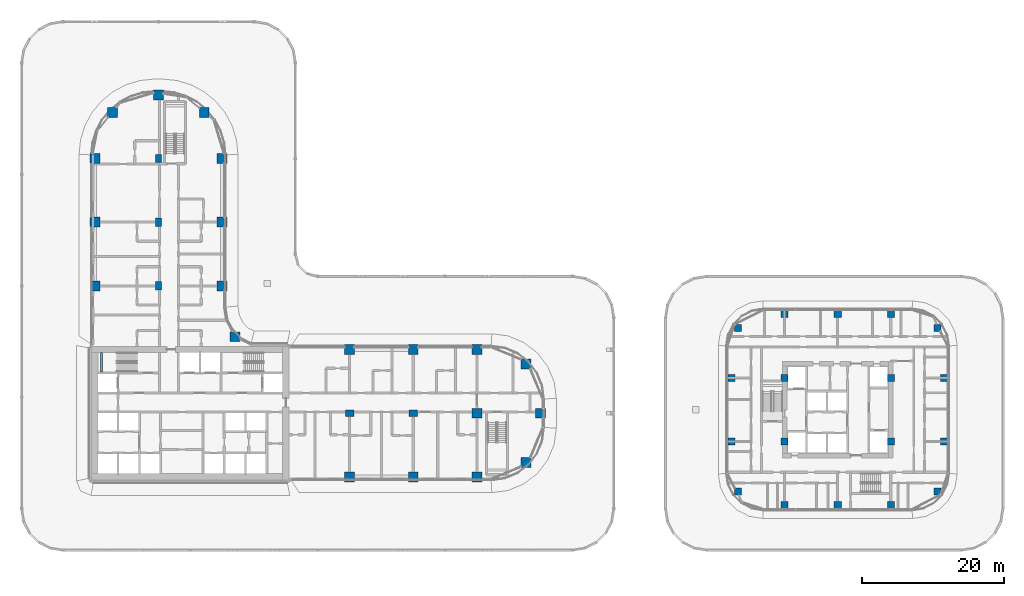
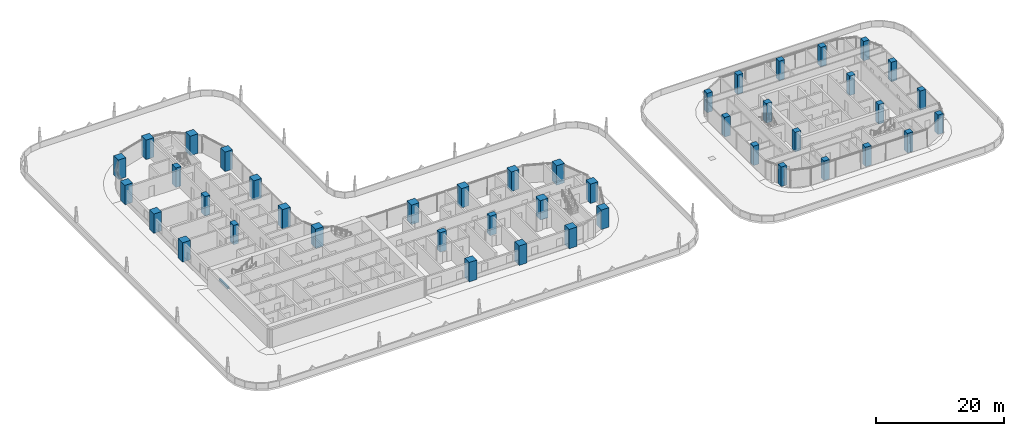
# One storey, part 1 of 51: 43 columns, 1 beam.
"""IFC4 building model written with IfcOpenShell, lengths in metres."""

from ifc_helpers import new_model, si_unit, direction, frame, origin, origin_2d, place, context, subcontext, project, spatial, rectangle, extrude, material, material_profile, profile_set, type_object, element, save


model = new_model("IFC4")

# Units and contexts
model_context = context("Model", 3, precision=1e-05, world=origin(), true_north=direction((0.0, 1.0)))
body_context = subcontext(model_context, "Body", "Model", "MODEL_VIEW")
ifc_project = project(units=[si_unit("LENGTHUNIT", "METRE"), si_unit("AREAUNIT", "SQUARE_METRE"), si_unit("VOLUMEUNIT", "CUBIC_METRE"), si_unit("PLANEANGLEUNIT", "RADIAN"), si_unit("MASSUNIT", "GRAM", prefix="KILO")], contexts=[model_context])

# Site, building, storey
site_placement = place(None, origin())
site = spatial("IfcSite", under=ifc_project, at=site_placement, CompositionType="ELEMENT")
building_placement = place(site_placement, origin())
building = spatial("IfcBuilding", under=site, at=building_placement, Name="Ogive Portal Towers", CompositionType="ELEMENT")
storey_placement = place(building_placement, frame((0.0, 0.0, 33.5)))
storey = spatial("IfcBuildingStorey", under=building, at=storey_placement, Name="L06", CompositionType="ELEMENT", Elevation=33.5)

# Columns
ifc_material_1 = material(Name="Concrete C60/75", Category="concrete")
ifc_material_profile_1 = material_profile(ifc_material_1, rectangle(XDim=1.0, YDim=1.0, at=origin_2d()), Name="RC 1000x1000")
ifc_profile_set_1 = profile_set([ifc_material_profile_1], Name="Concrete C60/75")
column_type_1 = type_object("IfcColumnType", Name="COLUMN RC 1000x1000", PredefinedType="COLUMN", material=ifc_profile_set_1)
for number, where, z_axis, x_axis, name in (
    (1, (129.0, 17.5, 0.0), (0.0, 0.0, 1.0), (1.0, 0.0, 0.0), "Column 12/H L06"),
    (2, (136.5, 17.5, 0.0), (0.0, 0.0, 1.0), (1.0, 0.0, 0.0), "Column 13/H L06"),
    (3, (144.0, 17.5, 0.0), (0.0, 0.0, 1.0), (1.0, 0.0, 0.0), "Column 14/H L06"),
    (4, (122.40087890625, 19.44189453125, 0.0), (0.0, 0.0, 1.0), (1.0, 0.0, 0.0), "Column L06"),
    (5, (150.59912109375, 19.44189453125, 0.0), (0.0, 0.0, 1.0), (1.0, 0.0, 0.0), "Column L06"),
    (6, (121.5, 26.5, 0.0), (0.0, 0.0, 1.0), (1.0, 0.0, 0.0), "Column 11/J L06"),
    (7, (129.0, 26.5, 0.0), (0.0, 0.0, 1.0), (1.0, 0.0, 0.0), "Column 12/J L06"),
    (8, (144.0, 26.5, 0.0), (0.0, 0.0, 1.0), (1.0, 0.0, 0.0), "Column 14/J L06"),
    (9, (151.5, 26.5, 0.0), (0.0, 0.0, 1.0), (1.0, 0.0, 0.0), "Column 15/J L06"),
    (10, (121.5, 35.5, 0.0), (0.0, 0.0, 1.0), (1.0, 0.0, 0.0), "Column 11/K L06"),
    (11, (129.0, 35.5, 0.0), (0.0, 0.0, 1.0), (1.0, 0.0, 0.0), "Column 12/K L06"),
    (12, (144.0, 35.5, 0.0), (0.0, 0.0, 1.0), (1.0, 0.0, 0.0), "Column 14/K L06"),
    (13, (151.5, 35.5, 0.0), (0.0, 0.0, 1.0), (1.0, 0.0, 0.0), "Column 15/K L06"),
    (14, (122.40087890625, 42.55810546875, 0.0), (0.0, 0.0, 1.0), (1.0, 0.0, 0.0), "Column L06"),
    (15, (150.59912109375, 42.55810546875, 0.0), (0.0, 0.0, 1.0), (1.0, 0.0, 0.0), "Column L06"),
    (16, (129.0, 44.5, 0.0), (0.0, 0.0, 1.0), (1.0, 0.0, 0.0), "Column 12/L L06"),
    (17, (136.5, 44.5, 0.0), (0.0, 0.0, 1.0), (1.0, 0.0, 0.0), "Column 13/L L06"),
    (18, (144.0, 44.5, 0.0), (0.0, 0.0, 1.0), (1.0, 0.0, 0.0), "Column 14/L L06"),
):
    element("IfcColumn", number, at=place(storey_placement, frame(where, z_axis=z_axis, x_axis=x_axis)), inside=storey, type_object=column_type_1, Name=name, PredefinedType="COLUMN", context=body_context, shape_type="SweptSolid", body=[
        extrude(rectangle(XDim=1.0, YDim=1.0, at=origin_2d()), origin(), (0.0, 0.0, 1.0), 3.699951171875),
    ])
ifc_material_profile_2 = material_profile(ifc_material_1, rectangle(XDim=1.199951171875, YDim=0.89990234375, at=origin_2d()), Name="RC 1200x900")
ifc_profile_set_2 = profile_set([ifc_material_profile_2], Name="Concrete C60/75")
column_type_2 = type_object("IfcColumnType", Name="COLUMN RC 1200x900", PredefinedType="COLUMN", material=ifc_profile_set_2)
for number, where, z_axis, x_axis, name in (
    (19, (67.5, 30.5, 0.0), (0.0, 0.0, 1.0), (1.0, 0.0, 0.0), "Column 5/B L06"),
    (20, (76.5, 30.5, 0.0), (0.0, 0.0, 1.0), (1.0, 0.0, 0.0), "Column 6/B L06"),
    (21, (40.5, 48.5, 0.0), (0.0, 0.0, 1.0), (0.0, 1.0, 0.0), "Column 2/D L06"),
    (22, (40.5, 57.5, 0.0), (0.0, 0.0, 1.0), (0.0, 1.0, 0.0), "Column 2/E L06"),
    (23, (40.5, 66.5, 0.0), (0.0, 0.0, 1.0), (0.0, 1.0, 0.0), "Column 2/F L06"),
):
    element("IfcColumn", number, at=place(storey_placement, frame(where, z_axis=z_axis, x_axis=x_axis)), inside=storey, type_object=column_type_2, Name=name, PredefinedType="COLUMN", context=body_context, shape_type="SweptSolid", body=[
        extrude(rectangle(XDim=1.199951171875, YDim=0.89990234375, at=origin_2d()), origin(), (0.0, 0.0, 1.0), 3.699951171875),
    ])
ifc_material_profile_3 = material_profile(ifc_material_1, rectangle(XDim=1.39990234375, YDim=1.39990234375, at=origin_2d()), Name="RC 1400x1400")
ifc_profile_set_3 = profile_set([ifc_material_profile_3], Name="Concrete C60/75")
column_type_3 = type_object("IfcColumnType", Name="COLUMN RC 1400x1400", PredefinedType="COLUMN", material=ifc_profile_set_3)
for number, where, z_axis, x_axis, name in (
    (24, (67.5, 21.5, 0.0), (0.0, 0.0, 1.0), (1.0, 0.0, 0.0), "Column 5/A L06"),
    (25, (76.5, 21.5, 0.0), (0.0, 0.0, 1.0), (1.0, 0.0, 0.0), "Column 6/A L06"),
    (26, (85.5, 21.5, 0.0), (0.0, 0.0, 1.0), (1.0, 0.0, 0.0), "Column 7/A L06"),
    (27, (92.449951171875, 23.550048828125, 0.0), (0.0, 0.0, 1.0), (1.0, 0.0, 0.0), "Column L06"),
    (28, (85.5, 30.5, 0.0), (0.0, 0.0, 1.0), (1.0, 0.0, 0.0), "Column 7/B L06"),
    (29, (94.5, 30.5, 0.0), (0.0, 0.0, 1.0), (1.0, 0.0, 0.0), "Column 8/B L06"),
    (30, (92.449951171875, 37.449951171875, 0.0), (0.0, 0.0, 1.0), (1.0, 0.0, 0.0), "Column L06"),
    (31, (67.5, 39.5, 0.0), (0.0, 0.0, 1.0), (1.0, 0.0, 0.0), "Column 5/C L06"),
    (32, (76.5, 39.5, 0.0), (0.0, 0.0, 1.0), (1.0, 0.0, 0.0), "Column 6/C L06"),
    (33, (85.5, 39.5, 0.0), (0.0, 0.0, 1.0), (1.0, 0.0, 0.0), "Column 7/C L06"),
    (34, (51.31005859375, 41.31005859375, 0.0), (0.0, 0.0, 1.0), (1.0, 0.0, 0.0), "Column L06"),
    (35, (31.5, 48.5, 0.0), (0.0, 0.0, 1.0), (1.0, 0.0, 0.0), "Column 1/D L06"),
    (36, (49.5, 48.5, 0.0), (0.0, 0.0, 1.0), (1.0, 0.0, 0.0), "Column 3/D L06"),
    (37, (31.5, 57.5, 0.0), (0.0, 0.0, 1.0), (1.0, 0.0, 0.0), "Column 1/E L06"),
    (38, (49.5, 57.5, 0.0), (0.0, 0.0, 1.0), (1.0, 0.0, 0.0), "Column 3/E L06"),
    (39, (31.5, 66.5, 0.0), (0.0, 0.0, 1.0), (1.0, 0.0, 0.0), "Column 1/F L06"),
    (40, (49.5, 66.5, 0.0), (0.0, 0.0, 1.0), (1.0, 0.0, 0.0), "Column 3/F L06"),
    (41, (34.027099609375, 72.972900390625, 0.0), (0.0, 0.0, 1.0), (1.0, 0.0, 0.0), "Column L06"),
    (42, (46.972900390625, 72.972900390625, 0.0), (0.0, 0.0, 1.0), (1.0, 0.0, 0.0), "Column L06"),
    (43, (40.5, 75.5, 0.0), (0.0, 0.0, 1.0), (1.0, 0.0, 0.0), "Column 2/G L06"),
):
    element("IfcColumn", number, at=place(storey_placement, frame(where, z_axis=z_axis, x_axis=x_axis)), inside=storey, type_object=column_type_3, Name=name, PredefinedType="COLUMN", context=body_context, shape_type="SweptSolid", body=[
        extrude(rectangle(XDim=1.39990234375, YDim=1.39990234375, at=origin_2d()), origin(), (0.0, 0.0, 1.0), 3.699951171875),
    ])

# Beam
ifc_material_2 = material(Name="Concrete C40/50", Category="concrete")
ifc_material_profile_4 = material_profile(ifc_material_2, rectangle(XDim=0.300048828125, YDim=0.39990234375, at=origin_2d()), Name="RC 300x400")
ifc_profile_set_4 = profile_set([ifc_material_profile_4], Name="Concrete C40/50")
beam_type = type_object("IfcBeamType", Name="BEAM RC 300x400", PredefinedType="BEAM", material=ifc_profile_set_4)
beam_placement = place(storey_placement, frame((32.449951171875, 36.35009765625, 1.449951171875), z_axis=(0.0, 1.0, 0.0), x_axis=(-1.0, 0.0, 0.0)))
element("IfcBeam", 44, at=beam_placement, inside=storey, type_object=beam_type, Name="Landing beam L06", PredefinedType="BEAM", context=body_context, shape_type="SweptSolid", body=[
    extrude(rectangle(XDim=0.300048828125, YDim=0.39990234375, at=origin_2d()), origin(), (0.0, 0.0, 1.0), 2.699951171875),
])

save(model, "model.ifc")
